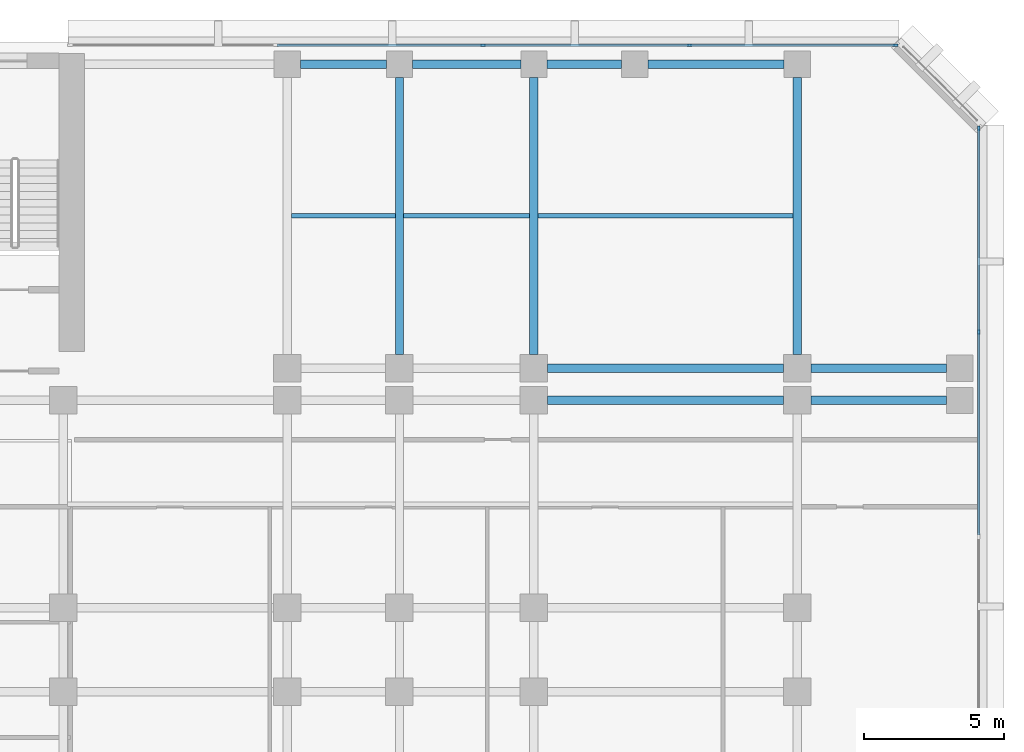
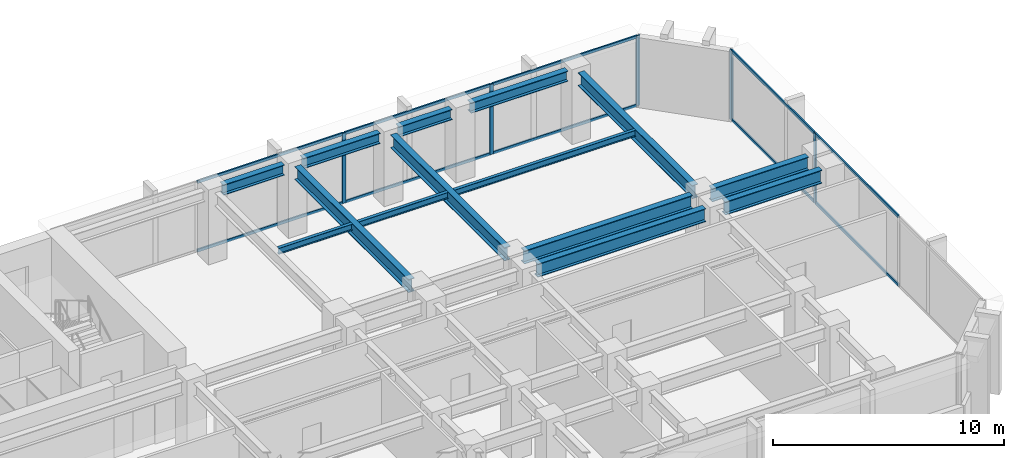
# One storey, part 5 of 13: 15 members, 14 beams, 2 elements without a shape of their own.
"""IFC4 building model written with IfcOpenShell, lengths in metres."""

from ifc_helpers import new_model, si_unit, direction, frame, origin, origin_2d, place, context, subcontext, project, spatial, rectangle, i_section, extrude, material, layer, layer_set, material_profile, profile_set, type_object, element, aggregate, save


model = new_model("IFC4")

# Units and contexts
model_context = context("Model", 3, precision=1e-05, world=origin(), true_north=direction((0.0, 1.0)))
body_context = subcontext(model_context, "Body", "Model", "MODEL_VIEW")
ifc_project = project(units=[si_unit("LENGTHUNIT", "METRE"), si_unit("AREAUNIT", "SQUARE_METRE"), si_unit("VOLUMEUNIT", "CUBIC_METRE"), si_unit("PLANEANGLEUNIT", "RADIAN"), si_unit("MASSUNIT", "GRAM", prefix="KILO")], contexts=[model_context])

# Site, building, storey
site_placement = place(None, origin())
site = spatial("IfcSite", under=ifc_project, at=site_placement, CompositionType="ELEMENT")
building_placement = place(site_placement, origin())
building = spatial("IfcBuilding", under=site, at=building_placement, Name="Kefirva Bronze Tower", CompositionType="ELEMENT")
storey_placement = place(building_placement, frame((0.0, 0.0, 77.8798828125)))
storey = spatial("IfcBuildingStorey", under=building, at=storey_placement, Name="L18", CompositionType="ELEMENT", Elevation=77.8798828125)

# Curtain wall, members
ifc_material_1 = material(Name="Bronze anodised aluminium", Category="aluminium")
ifc_layer = layer(ifc_material_1, 0.199951171875, Name="Bronze anodised aluminium")
ifc_layer_set = layer_set([ifc_layer], Name="Bronze anodised aluminium")
curtain_wall_type = type_object("IfcCurtainWallType", Name="Unitised Bronze Ribbon Curtain Wall Zone 1", PredefinedType="USERDEFINED", material=ifc_layer_set)
curtain_wall_1_placement = place(storey_placement, origin())
curtain_wall_1 = element("IfcCurtainWall", 1, at=curtain_wall_1_placement, inside=storey, type_object=curtain_wall_type, Name="L18 Curtain Wall 2", ObjectType="UNITISED CURTAIN WALL", PredefinedType="USERDEFINED")
ifc_material_profile_1 = material_profile(ifc_material_1, rectangle(XDim=0.074951171875, YDim=0.179931640625, at=origin_2d()), Name="ALU 75x180")
ifc_profile_set_1 = profile_set([ifc_material_profile_1], Name="Bronze anodised aluminium")
member_type_1 = type_object("IfcMemberType", Name="Bronze Mullion 75x180", PredefinedType="MULLION", material=ifc_profile_set_1)
member_1_placement = place(storey_placement, frame((55.8798828125, 35.6484375, 0.0), z_axis=(0.0, 0.0, 1.0), x_axis=(-1.0, 0.0, 0.0)))
member_1 = element("IfcMember", 2, at=member_1_placement, type_object=member_type_1, Name="CW-01 mullion 3", PredefinedType="MULLION", context=body_context, shape_type="SweptSolid", body=[
    extrude(rectangle(XDim=0.074951171875, YDim=0.179931640625, at=origin_2d()), origin(), (0.0, 0.0, 1.0), 3.710205078125),
])
member_2_placement = place(storey_placement, frame((55.8798828125, 42.907470703125, 0.0), z_axis=(0.0, 0.0, 1.0), x_axis=(-1.0, 0.0, 0.0)))
member_2 = element("IfcMember", 3, at=member_2_placement, type_object=member_type_1, Name="CW-01 mullion 4", PredefinedType="MULLION", context=body_context, shape_type="SweptSolid", body=[
    extrude(rectangle(XDim=0.074951171875, YDim=0.179931640625, at=origin_2d()), origin(), (0.0, 0.0, 1.0), 3.710205078125),
])

curtain_wall_2_placement = place(storey_placement, origin())
curtain_wall_2 = element("IfcCurtainWall", 4, at=curtain_wall_2_placement, inside=storey, type_object=curtain_wall_type, Name="L18 Curtain Wall 3", ObjectType="UNITISED CURTAIN WALL", PredefinedType="USERDEFINED")
member_3_placement = place(storey_placement, frame((52.907470703125, 45.8798828125, 0.0), z_axis=(0.0, 0.0, 1.0), x_axis=(0.0, -1.0, 0.0)))
member_3 = element("IfcMember", 5, at=member_3_placement, type_object=member_type_1, Name="CW-01 mullion 1", PredefinedType="MULLION", context=body_context, shape_type="SweptSolid", body=[
    extrude(rectangle(XDim=0.074951171875, YDim=0.179931640625, at=origin_2d()), origin(), (0.0, 0.0, 1.0), 3.710205078125),
])
member_4_placement = place(storey_placement, frame((45.56005859375, 45.8798828125, 0.0), z_axis=(0.0, 0.0, 1.0), x_axis=(0.0, -1.0, 0.0)))
member_4 = element("IfcMember", 6, at=member_4_placement, type_object=member_type_1, Name="CW-01 mullion 2", PredefinedType="MULLION", context=body_context, shape_type="SweptSolid", body=[
    extrude(rectangle(XDim=0.074951171875, YDim=0.179931640625, at=origin_2d()), origin(), (0.0, 0.0, 1.0), 3.710205078125),
])
member_5_placement = place(storey_placement, frame((38.175048828125, 45.8798828125, 0.0), z_axis=(0.0, 0.0, 1.0), x_axis=(0.0, -1.0, 0.0)))
member_5 = element("IfcMember", 7, at=member_5_placement, type_object=member_type_1, Name="CW-01 mullion 3", PredefinedType="MULLION", context=body_context, shape_type="SweptSolid", body=[
    extrude(rectangle(XDim=0.074951171875, YDim=0.179931640625, at=origin_2d()), origin(), (0.0, 0.0, 1.0), 3.710205078125),
])

# Member
ifc_material_profile_2 = material_profile(ifc_material_1, rectangle(XDim=0.074951171875, YDim=0.14990234375, at=origin_2d()), Name="ALU 75x150")
ifc_profile_set_2 = profile_set([ifc_material_profile_2], Name="Bronze anodised aluminium")
member_type_2 = type_object("IfcMemberType", Name="Bronze Transom 75x150", PredefinedType="USERDEFINED", material=ifc_profile_set_2)
member_6_placement = place(storey_placement, frame((55.8798828125, 28.38916015625, 0.03759765625), z_axis=(0.0, 1.0, 0.0), x_axis=(-1.0, 0.0, 0.0)))
member_6 = element("IfcMember", 8, at=member_6_placement, type_object=member_type_2, Name="CW-01 transom 2.1", ObjectType="TRANSOM", PredefinedType="USERDEFINED", context=body_context, shape_type="SweptSolid", body=[
    extrude(rectangle(XDim=0.074951171875, YDim=0.14990234375, at=origin_2d()), origin(), (0.0, 0.0, 1.0), 7.2216796875),
])

member_7_placement = place(storey_placement, frame((55.8798828125, 28.38916015625, 3.672607421875), z_axis=(0.0, 1.0, 0.0), x_axis=(-1.0, 0.0, 0.0)))
member_7 = element("IfcMember", 9, at=member_7_placement, type_object=member_type_2, Name="CW-01 transom 2.2", ObjectType="TRANSOM", PredefinedType="USERDEFINED", context=body_context, shape_type="SweptSolid", body=[
    extrude(rectangle(XDim=0.074951171875, YDim=0.14990234375, at=origin_2d()), origin(), (0.0, 0.0, 1.0), 7.2216796875),
])

member_8_placement = place(storey_placement, frame((55.8798828125, 35.685791015625, 0.03759765625), z_axis=(0.0, 1.0, 0.0), x_axis=(-1.0, 0.0, 0.0)))
member_8 = element("IfcMember", 10, at=member_8_placement, type_object=member_type_2, Name="CW-01 transom 3.1", ObjectType="TRANSOM", PredefinedType="USERDEFINED", context=body_context, shape_type="SweptSolid", body=[
    extrude(rectangle(XDim=0.074951171875, YDim=0.14990234375, at=origin_2d()), origin(), (0.0, 0.0, 1.0), 7.184326171875),
])

member_9_placement = place(storey_placement, frame((55.8798828125, 35.685791015625, 3.672607421875), z_axis=(0.0, 1.0, 0.0), x_axis=(-1.0, 0.0, 0.0)))
member_9 = element("IfcMember", 11, at=member_9_placement, type_object=member_type_2, Name="CW-01 transom 3.2", ObjectType="TRANSOM", PredefinedType="USERDEFINED", context=body_context, shape_type="SweptSolid", body=[
    extrude(rectangle(XDim=0.074951171875, YDim=0.14990234375, at=origin_2d()), origin(), (0.0, 0.0, 1.0), 7.184326171875),
])

aggregate(curtain_wall_1, [member_1, member_2, member_6, member_7, member_8, member_9])

member_10_placement = place(storey_placement, frame((52.8701171875, 45.8798828125, 0.03759765625), z_axis=(-1.0, 0.0, 0.0), x_axis=(0.0, -1.0, 0.0)))
member_10 = element("IfcMember", 12, at=member_10_placement, type_object=member_type_2, Name="CW-01 transom 1.1", ObjectType="TRANSOM", PredefinedType="USERDEFINED", context=body_context, shape_type="SweptSolid", body=[
    extrude(rectangle(XDim=0.074951171875, YDim=0.14990234375, at=origin_2d()), origin(), (0.0, 0.0, 1.0), 7.272705078125),
])

member_11_placement = place(storey_placement, frame((52.8701171875, 45.8798828125, 3.672607421875), z_axis=(-1.0, 0.0, 0.0), x_axis=(0.0, -1.0, 0.0)))
member_11 = element("IfcMember", 13, at=member_11_placement, type_object=member_type_2, Name="CW-01 transom 1.2", ObjectType="TRANSOM", PredefinedType="USERDEFINED", context=body_context, shape_type="SweptSolid", body=[
    extrude(rectangle(XDim=0.074951171875, YDim=0.14990234375, at=origin_2d()), origin(), (0.0, 0.0, 1.0), 7.272705078125),
])

member_12_placement = place(storey_placement, frame((45.5224609375, 45.8798828125, 0.03759765625), z_axis=(-1.0, 0.0, 0.0), x_axis=(0.0, -1.0, 0.0)))
member_12 = element("IfcMember", 14, at=member_12_placement, type_object=member_type_2, Name="CW-01 transom 2.1", ObjectType="TRANSOM", PredefinedType="USERDEFINED", context=body_context, shape_type="SweptSolid", body=[
    extrude(rectangle(XDim=0.074951171875, YDim=0.14990234375, at=origin_2d()), origin(), (0.0, 0.0, 1.0), 7.31005859375),
])

member_13_placement = place(storey_placement, frame((45.5224609375, 45.8798828125, 3.672607421875), z_axis=(-1.0, 0.0, 0.0), x_axis=(0.0, -1.0, 0.0)))
member_13 = element("IfcMember", 15, at=member_13_placement, type_object=member_type_2, Name="CW-01 transom 2.2", ObjectType="TRANSOM", PredefinedType="USERDEFINED", context=body_context, shape_type="SweptSolid", body=[
    extrude(rectangle(XDim=0.074951171875, YDim=0.14990234375, at=origin_2d()), origin(), (0.0, 0.0, 1.0), 7.31005859375),
])

member_14_placement = place(storey_placement, frame((38.137451171875, 45.8798828125, 0.03759765625), z_axis=(-1.0, 0.0, 0.0), x_axis=(0.0, -1.0, 0.0)))
member_14 = element("IfcMember", 16, at=member_14_placement, type_object=member_type_2, Name="CW-01 transom 3.1", ObjectType="TRANSOM", PredefinedType="USERDEFINED", context=body_context, shape_type="SweptSolid", body=[
    extrude(rectangle(XDim=0.074951171875, YDim=0.14990234375, at=origin_2d()), origin(), (0.0, 0.0, 1.0), 7.31005859375),
])

member_15_placement = place(storey_placement, frame((38.137451171875, 45.8798828125, 3.672607421875), z_axis=(-1.0, 0.0, 0.0), x_axis=(0.0, -1.0, 0.0)))
member_15 = element("IfcMember", 17, at=member_15_placement, type_object=member_type_2, Name="CW-01 transom 3.2", ObjectType="TRANSOM", PredefinedType="USERDEFINED", context=body_context, shape_type="SweptSolid", body=[
    extrude(rectangle(XDim=0.074951171875, YDim=0.14990234375, at=origin_2d()), origin(), (0.0, 0.0, 1.0), 7.31005859375),
])

aggregate(curtain_wall_2, [member_3, member_4, member_5, member_10, member_11, member_12, member_13, member_14, member_15])

# Beams
ifc_material_2 = material(Name="Steel S355", Category="steel")
ifc_material_profile_3 = material_profile(ifc_material_2, i_section(OverallWidth=0.159912109375, OverallDepth=0.330078125, WebThickness=0.007568359375, FlangeThickness=0.011474609375, at=origin_2d()), Name="IPE 330")
ifc_profile_set_3 = profile_set([ifc_material_profile_3], Name="Steel S355")
beam_type_1 = type_object("IfcBeamType", Name="Steel Floor Joist IPE 330", PredefinedType="JOIST", material=ifc_profile_set_3)
beam_1_placement = place(storey_placement, frame((31.35009765625, 39.784912109375, 3.545166015625), z_axis=(1.0, 0.0, 0.0), x_axis=(0.0, 1.0, 0.0)))
element("IfcBeam", 18, at=beam_1_placement, inside=storey, type_object=beam_type_1, Name="L18 JST-L18-31-397", PredefinedType="JOIST", context=body_context, shape_type="SweptSolid", body=[
    extrude(i_section(OverallWidth=0.159912109375, OverallDepth=0.330078125, WebThickness=0.007568359375, FlangeThickness=0.011474609375, at=origin_2d()), origin(), (0.0, 0.0, 1.0), 3.699951171875),
])
beam_2_placement = place(storey_placement, frame((35.35009765625, 39.784912109375, 3.545166015625), z_axis=(1.0, 0.0, 0.0), x_axis=(0.0, 1.0, 0.0)))
element("IfcBeam", 19, at=beam_2_placement, inside=storey, type_object=beam_type_1, Name="L18 JST-L18-35-397", PredefinedType="JOIST", context=body_context, shape_type="SweptSolid", body=[
    extrude(i_section(OverallWidth=0.159912109375, OverallDepth=0.330078125, WebThickness=0.007568359375, FlangeThickness=0.011474609375, at=origin_2d()), origin(), (0.0, 0.0, 1.0), 4.5),
])
beam_3_placement = place(storey_placement, frame((40.14990234375, 39.784912109375, 3.545166015625), z_axis=(1.0, 0.0, 0.0), x_axis=(0.0, 1.0, 0.0)))
element("IfcBeam", 20, at=beam_3_placement, inside=storey, type_object=beam_type_1, Name="L18 JST-L18-40-397", PredefinedType="JOIST", context=body_context, shape_type="SweptSolid", body=[
    extrude(i_section(OverallWidth=0.159912109375, OverallDepth=0.330078125, WebThickness=0.007568359375, FlangeThickness=0.011474609375, at=origin_2d()), origin(), (0.0, 0.0, 1.0), 9.10009765625),
])
ifc_material_profile_4 = material_profile(ifc_material_2, i_section(OverallWidth=0.300048828125, OverallDepth=0.699951171875, WebThickness=0.01708984375, FlangeThickness=0.031982421875, at=origin_2d()), Name="HEB 700")
ifc_profile_set_4 = profile_set([ifc_material_profile_4], Name="Steel S355")
beam_type_2 = type_object("IfcBeamType", Name="Steel Girder HEB 700", PredefinedType="USERDEFINED", material=ifc_profile_set_4)
beam_4_placement = place(storey_placement, frame((40.489990234375, 33.199951171875, 3.360107421875), z_axis=(1.0, 0.0, 0.0), x_axis=(0.0, 1.0, 0.0)))
element("IfcBeam", 21, at=beam_4_placement, inside=storey, type_object=beam_type_2, Name="L18 BM-L18-EW-40-332", ObjectType="GIRDER", PredefinedType="USERDEFINED", context=body_context, shape_type="SweptSolid", body=[
    extrude(i_section(OverallWidth=0.300048828125, OverallDepth=0.699951171875, WebThickness=0.01708984375, FlangeThickness=0.031982421875, at=origin_2d()), origin(), (0.0, 0.0, 1.0), 8.419921875),
])
beam_5_placement = place(storey_placement, frame((49.889892578125, 33.199951171875, 3.360107421875), z_axis=(1.0, 0.0, 0.0), x_axis=(0.0, 1.0, 0.0)))
element("IfcBeam", 22, at=beam_5_placement, inside=storey, type_object=beam_type_2, Name="L18 BM-L18-EW-49-332", ObjectType="GIRDER", PredefinedType="USERDEFINED", context=body_context, shape_type="SweptSolid", body=[
    extrude(i_section(OverallWidth=0.300048828125, OverallDepth=0.699951171875, WebThickness=0.01708984375, FlangeThickness=0.031982421875, at=origin_2d()), origin(), (0.0, 0.0, 1.0), 4.840087890625),
])
beam_6_placement = place(storey_placement, frame((40.489990234375, 34.35009765625, 3.360107421875), z_axis=(1.0, 0.0, 0.0), x_axis=(0.0, 1.0, 0.0)))
element("IfcBeam", 23, at=beam_6_placement, inside=storey, type_object=beam_type_2, Name="L18 BM-L18-EW-40-344", ObjectType="GIRDER", PredefinedType="USERDEFINED", context=body_context, shape_type="SweptSolid", body=[
    extrude(i_section(OverallWidth=0.300048828125, OverallDepth=0.699951171875, WebThickness=0.01708984375, FlangeThickness=0.031982421875, at=origin_2d()), origin(), (0.0, 0.0, 1.0), 8.419921875),
])
beam_7_placement = place(storey_placement, frame((49.889892578125, 34.35009765625, 3.360107421875), z_axis=(1.0, 0.0, 0.0), x_axis=(0.0, 1.0, 0.0)))
element("IfcBeam", 24, at=beam_7_placement, inside=storey, type_object=beam_type_2, Name="L18 BM-L18-EW-49-344", ObjectType="GIRDER", PredefinedType="USERDEFINED", context=body_context, shape_type="SweptSolid", body=[
    extrude(i_section(OverallWidth=0.300048828125, OverallDepth=0.699951171875, WebThickness=0.01708984375, FlangeThickness=0.031982421875, at=origin_2d()), origin(), (0.0, 0.0, 1.0), 4.840087890625),
])
for number, where, z_axis, x_axis, name in (
    (25, (35.199951171875, 34.840087890625, 3.360107421875), (0.0, 1.0, 0.0), (-1.0, 0.0, 0.0), "L18 BM-L18-NS-352-34"),
    (26, (40.0, 34.840087890625, 3.360107421875), (0.0, 1.0, 0.0), (-1.0, 0.0, 0.0), "L18 BM-L18-NS-400-34"),
    (27, (49.39990234375, 34.840087890625, 3.360107421875), (0.0, 1.0, 0.0), (-1.0, 0.0, 0.0), "L18 BM-L18-NS-494-34"),
):
    element("IfcBeam", number, at=place(storey_placement, frame(where, z_axis=z_axis, x_axis=x_axis)), inside=storey, type_object=beam_type_2, Name=name, ObjectType="GIRDER", PredefinedType="USERDEFINED", context=body_context, shape_type="SweptSolid", body=[
        extrude(i_section(OverallWidth=0.300048828125, OverallDepth=0.699951171875, WebThickness=0.01708984375, FlangeThickness=0.031982421875, at=origin_2d()), origin(), (0.0, 0.0, 1.0), 9.889892578125),
    ])
ifc_material_profile_5 = material_profile(ifc_material_2, i_section(OverallWidth=0.300048828125, OverallDepth=0.550048828125, WebThickness=0.014892578125, FlangeThickness=0.029052734375, at=origin_2d()), Name="HEB 550")
ifc_profile_set_5 = profile_set([ifc_material_profile_5], Name="Steel S355")
beam_type_3 = type_object("IfcBeamType", Name="Steel Spandrel HEB 550 Ext", PredefinedType="SPANDREL", material=ifc_profile_set_5)
beam_8_placement = place(storey_placement, frame((31.669921875, 45.199951171875, 3.43505859375), z_axis=(1.0, 0.0, 0.0), x_axis=(0.0, 1.0, 0.0)))
element("IfcBeam", 28, at=beam_8_placement, inside=storey, type_object=beam_type_3, Name="L18 BM-L18-EW-31-452", PredefinedType="SPANDREL", context=body_context, shape_type="SweptSolid", body=[
    extrude(i_section(OverallWidth=0.300048828125, OverallDepth=0.550048828125, WebThickness=0.014892578125, FlangeThickness=0.029052734375, at=origin_2d()), origin(), (0.0, 0.0, 1.0), 3.06005859375),
])
beam_9_placement = place(storey_placement, frame((35.669921875, 45.199951171875, 3.43505859375), z_axis=(1.0, 0.0, 0.0), x_axis=(0.0, 1.0, 0.0)))
element("IfcBeam", 29, at=beam_9_placement, inside=storey, type_object=beam_type_3, Name="L18 BM-L18-EW-35-452", PredefinedType="SPANDREL", context=body_context, shape_type="SweptSolid", body=[
    extrude(i_section(OverallWidth=0.300048828125, OverallDepth=0.550048828125, WebThickness=0.014892578125, FlangeThickness=0.029052734375, at=origin_2d()), origin(), (0.0, 0.0, 1.0), 3.860107421875),
])
beam_10_placement = place(storey_placement, frame((40.469970703125, 45.199951171875, 3.43505859375), z_axis=(1.0, 0.0, 0.0), x_axis=(0.0, 1.0, 0.0)))
element("IfcBeam", 30, at=beam_10_placement, inside=storey, type_object=beam_type_3, Name="L18 BM-L18-EW-40-452", PredefinedType="SPANDREL", context=body_context, shape_type="SweptSolid", body=[
    extrude(i_section(OverallWidth=0.300048828125, OverallDepth=0.550048828125, WebThickness=0.014892578125, FlangeThickness=0.029052734375, at=origin_2d()), origin(), (0.0, 0.0, 1.0), 2.659912109375),
])
beam_11_placement = place(storey_placement, frame((44.070068359375, 45.199951171875, 3.43505859375), z_axis=(1.0, 0.0, 0.0), x_axis=(0.0, 1.0, 0.0)))
element("IfcBeam", 31, at=beam_11_placement, inside=storey, type_object=beam_type_3, Name="L18 BM-L18-EW-43-452", PredefinedType="SPANDREL", context=body_context, shape_type="SweptSolid", body=[
    extrude(i_section(OverallWidth=0.300048828125, OverallDepth=0.550048828125, WebThickness=0.014892578125, FlangeThickness=0.029052734375, at=origin_2d()), origin(), (0.0, 0.0, 1.0), 4.85986328125),
])

save(model, "model.ifc")
